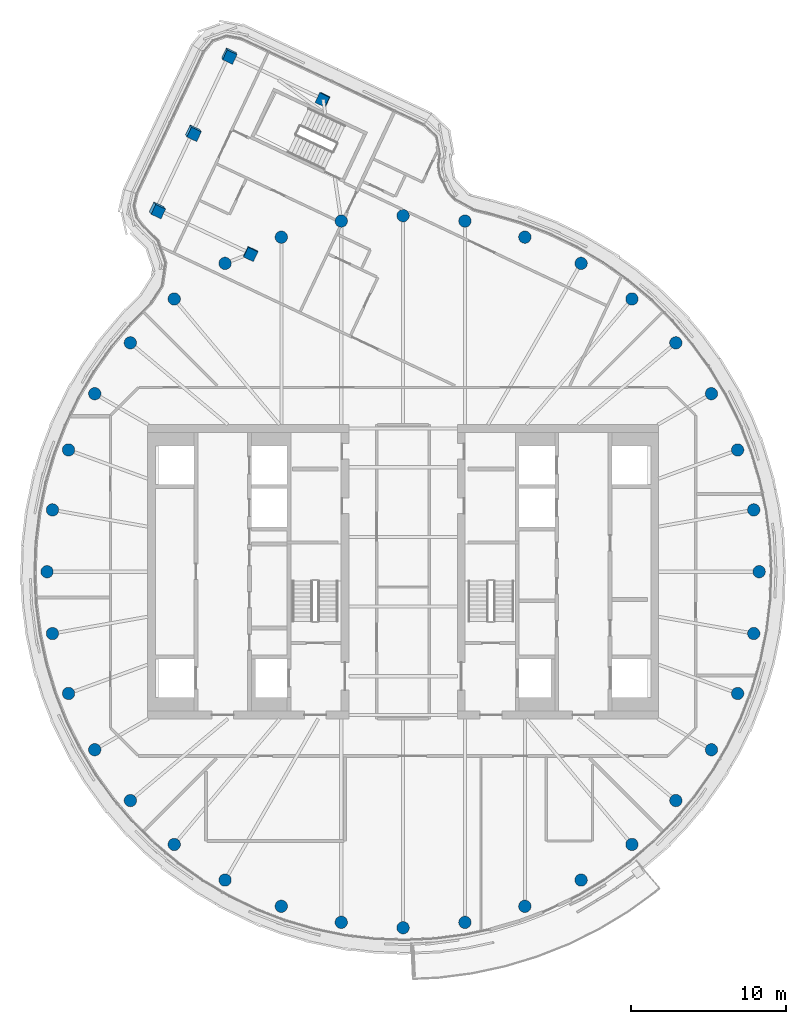
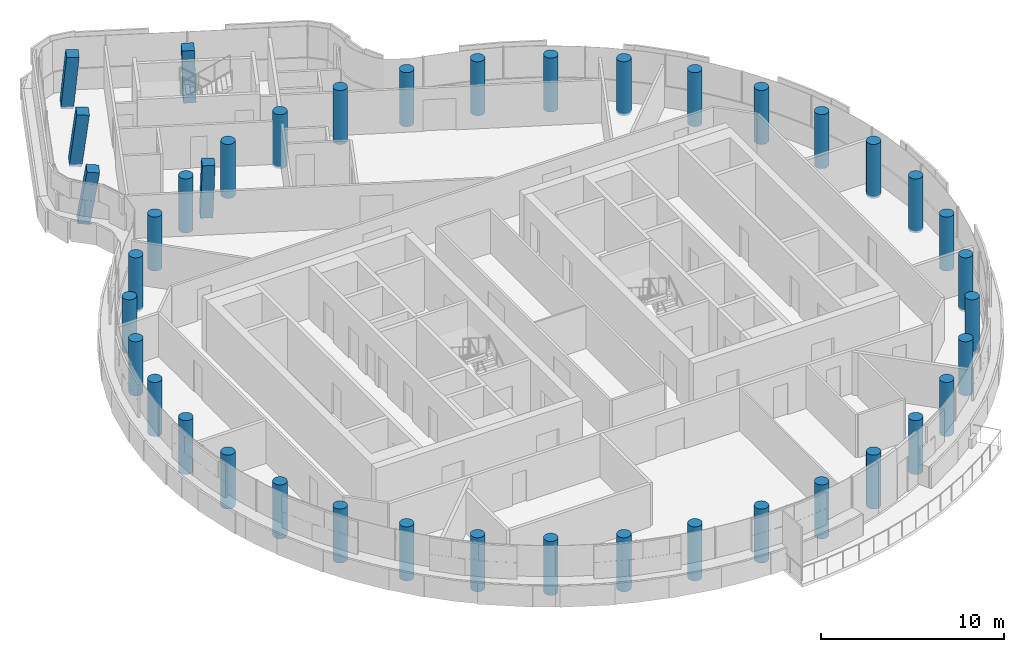
# One storey, part 1 of 21: 41 columns.
"""IFC4 building model written with IfcOpenShell, lengths in metres."""

from ifc_helpers import new_model, si_unit, direction, frame, origin, origin_2d, place, context, subcontext, project, spatial, rectangle, circle, extrude, material, material_profile, profile_set, type_object, element, save


model = new_model("IFC4")

# Units and contexts
model_context = context("Model", 3, precision=1e-05, world=origin(), true_north=direction((0.0, 1.0)))
body_context = subcontext(model_context, "Body", "Model", "MODEL_VIEW")
ifc_project = project(units=[si_unit("LENGTHUNIT", "METRE"), si_unit("AREAUNIT", "SQUARE_METRE"), si_unit("VOLUMEUNIT", "CUBIC_METRE"), si_unit("PLANEANGLEUNIT", "RADIAN"), si_unit("MASSUNIT", "GRAM", prefix="KILO")], contexts=[model_context])

# Site, building, storey
site_placement = place(None, origin())
site = spatial("IfcSite", under=ifc_project, at=site_placement, CompositionType="ELEMENT")
building_placement = place(site_placement, origin())
building = spatial("IfcBuilding", under=site, at=building_placement, Name="Tamarind Cross Interchange Tower", CompositionType="ELEMENT")
storey_placement = place(building_placement, frame((0.0, 0.0, 267.60009765625)))
storey = spatial("IfcBuildingStorey", under=building, at=storey_placement, Name="L68", CompositionType="ELEMENT", Elevation=267.60009765625)

# Columns
ifc_material = material(Name="Concrete C45", Category="concrete")
ifc_material_profile_1 = material_profile(ifc_material, rectangle(XDim=0.699951171875, YDim=0.699951171875, at=origin_2d()), Name="RC 700x700")
ifc_profile_set_1 = profile_set([ifc_material_profile_1], Name="Concrete C45")
column_type_1 = type_object("IfcColumnType", Name="Column RC 700x700 Concrete C45", PredefinedType="COLUMN", material=ifc_profile_set_1)
for number, where, z_axis, x_axis, name in (
    (1, (-9.852294921875, 20.561279296875, -0.138916015625), (0.007726320639, -0.049814435702, 0.99872860476), (0.426515930997, 0.903515234105, 0.041765803538), "Column L68-045"),
    (2, (-5.1650390625, 30.512451171875, -0.138916015625), (-0.042833727342, -0.026499980049, 0.998730705876), (0.90388158527, -0.426901868778, 0.027438553963), "Column L68-046"),
):
    element("IfcColumn", number, at=place(storey_placement, frame(where, z_axis=z_axis, x_axis=x_axis)), inside=storey, type_object=column_type_1, Name=name, PredefinedType="COLUMN", context=body_context, shape_type="SweptSolid", body=[
        extrude(rectangle(XDim=0.699951171875, YDim=0.699951171875, at=origin_2d()), origin(), (0.0, 0.0, 1.0), 3.602294921875),
    ])
column_1_placement = place(storey_placement, frame((-11.246826171875, 33.377197265625, -0.137939453125), z_axis=(0.041708047868, -0.101368103394, 0.993974318762), x_axis=(0.427513510004, 0.900979619467, 0.073945412769)))
element("IfcColumn", 3, at=column_1_placement, inside=storey, type_object=column_type_1, Name="Column L68-047", PredefinedType="COLUMN", context=body_context, shape_type="SweptSolid", body=[
    extrude(rectangle(XDim=0.699951171875, YDim=0.699951171875, at=origin_2d()), origin(), (0.0, 0.0, 1.0), 3.617431640625),
])
column_2_placement = place(storey_placement, frame((-13.59033203125, 28.4013671875, -0.137939453125), z_axis=(0.066645860243, -0.112557452856, 0.99140766041), x_axis=(0.428456436465, 0.90057276236, 0.073442370243)))
element("IfcColumn", 4, at=column_2_placement, inside=storey, type_object=column_type_1, Name="Column L68-048", PredefinedType="COLUMN", context=body_context, shape_type="SweptSolid", body=[
    extrude(rectangle(XDim=0.699951171875, YDim=0.699951171875, at=origin_2d()), origin(), (0.0, 0.0, 1.0), 3.626708984375),
])
column_3_placement = place(storey_placement, frame((-15.93408203125, 23.42578125, -0.1376953125), z_axis=(0.091455260238, -0.12372964041, 0.988092562192), x_axis=(0.42939068135, 0.900165614279, 0.072976089505)))
element("IfcColumn", 5, at=column_3_placement, inside=storey, type_object=column_type_1, Name="Column L68-049", PredefinedType="COLUMN", context=body_context, shape_type="SweptSolid", body=[
    extrude(rectangle(XDim=0.699951171875, YDim=0.699951171875, at=origin_2d()), origin(), (0.0, 0.0, 1.0), 3.638427734375),
])
ifc_material_profile_2 = material_profile(ifc_material, circle(Radius=0.39990234375, at=origin_2d()), Name="RC D800")
ifc_profile_set_2 = profile_set([ifc_material_profile_2], Name="Concrete C45")
column_type_2 = type_object("IfcColumnType", Name="Column RC D800 Concrete C45", PredefinedType="COLUMN", material=ifc_profile_set_2)
for number, where, z_axis, x_axis, name in (
    (6, (23.0, 0.0, -0.14013671875), (0.0, 0.0, 1.0), (1.0, 0.0, 0.0), "Column L68-000"),
    (7, (22.650634765625, 3.993896484375, -0.14013671875), (0.0, 0.0, 1.0), (1.0, 0.0, 0.0), "Column L68-001"),
    (8, (21.613037109375, 7.866455078125, -0.14013671875), (0.0, 0.0, 1.0), (1.0, 0.0, 0.0), "Column L68-002"),
    (9, (19.918701171875, 11.5, -0.14013671875), (0.0, 0.0, 1.0), (1.0, 0.0, 0.0), "Column L68-003"),
    (10, (17.619140625, 14.7841796875, -0.14013671875), (0.0, 0.0, 1.0), (1.0, 0.0, 0.0), "Column L68-004"),
    (11, (14.7841796875, 17.619140625, -0.14013671875), (0.0, 0.0, 1.0), (1.0, 0.0, 0.0), "Column L68-005"),
    (12, (11.5, 19.918701171875, -0.14013671875), (0.0, 0.0, 1.0), (1.0, 0.0, 0.0), "Column L68-006"),
    (13, (7.866455078125, 21.613037109375, -0.14013671875), (0.0, 0.0, 1.0), (1.0, 0.0, 0.0), "Column L68-007"),
    (14, (3.993896484375, 22.650634765625, -0.14013671875), (0.0, 0.0, 1.0), (1.0, 0.0, 0.0), "Column L68-008"),
    (15, (0.0, 23.0, -0.14013671875), (0.0, 0.0, 1.0), (1.0, 0.0, 0.0), "Column L68-009"),
    (16, (-3.993896484375, 22.650634765625, -0.14013671875), (0.0, 0.0, 1.0), (1.0, 0.0, 0.0), "Column L68-010"),
    (17, (-7.866455078125, 21.613037109375, -0.14013671875), (0.0, 0.0, 1.0), (1.0, 0.0, 0.0), "Column L68-011"),
    (18, (-11.5, 19.918701171875, -0.14013671875), (0.0, 0.0, 1.0), (1.0, 0.0, 0.0), "Column L68-012"),
    (19, (-14.7841796875, 17.619140625, -0.14013671875), (0.0, 0.0, 1.0), (1.0, 0.0, 0.0), "Column L68-013"),
    (20, (-17.619140625, 14.7841796875, -0.14013671875), (0.0, 0.0, 1.0), (1.0, 0.0, 0.0), "Column L68-014"),
    (21, (-19.918701171875, 11.5, -0.14013671875), (0.0, 0.0, 1.0), (1.0, 0.0, 0.0), "Column L68-015"),
    (22, (-21.613037109375, 7.866455078125, -0.14013671875), (0.0, 0.0, 1.0), (1.0, 0.0, 0.0), "Column L68-016"),
    (23, (-22.650634765625, 3.993896484375, -0.14013671875), (0.0, 0.0, 1.0), (1.0, 0.0, 0.0), "Column L68-017"),
    (24, (-23.0, 0.0, -0.14013671875), (0.0, 0.0, 1.0), (1.0, 0.0, 0.0), "Column L68-018"),
    (25, (-22.650634765625, -3.993896484375, -0.14013671875), (0.0, 0.0, 1.0), (1.0, 0.0, 0.0), "Column L68-019"),
    (26, (-21.613037109375, -7.866455078125, -0.14013671875), (0.0, 0.0, 1.0), (1.0, 0.0, 0.0), "Column L68-020"),
    (27, (-19.918701171875, -11.5, -0.14013671875), (0.0, 0.0, 1.0), (1.0, 0.0, 0.0), "Column L68-021"),
    (28, (-17.619140625, -14.7841796875, -0.14013671875), (0.0, 0.0, 1.0), (1.0, 0.0, 0.0), "Column L68-022"),
    (29, (-14.7841796875, -17.619140625, -0.14013671875), (0.0, 0.0, 1.0), (1.0, 0.0, 0.0), "Column L68-023"),
    (30, (-11.5, -19.918701171875, -0.14013671875), (0.0, 0.0, 1.0), (1.0, 0.0, 0.0), "Column L68-024"),
    (31, (-7.866455078125, -21.613037109375, -0.14013671875), (0.0, 0.0, 1.0), (1.0, 0.0, 0.0), "Column L68-025"),
    (32, (-3.993896484375, -22.650634765625, -0.14013671875), (0.0, 0.0, 1.0), (1.0, 0.0, 0.0), "Column L68-026"),
    (33, (0.0, -23.0, -0.14013671875), (0.0, 0.0, 1.0), (1.0, 0.0, 0.0), "Column L68-027"),
    (34, (3.993896484375, -22.650634765625, -0.14013671875), (0.0, 0.0, 1.0), (1.0, 0.0, 0.0), "Column L68-028"),
    (35, (7.866455078125, -21.613037109375, -0.14013671875), (0.0, 0.0, 1.0), (1.0, 0.0, 0.0), "Column L68-029"),
    (36, (11.5, -19.918701171875, -0.14013671875), (0.0, 0.0, 1.0), (1.0, 0.0, 0.0), "Column L68-030"),
    (37, (14.7841796875, -17.619140625, -0.14013671875), (0.0, 0.0, 1.0), (1.0, 0.0, 0.0), "Column L68-031"),
    (38, (17.619140625, -14.7841796875, -0.14013671875), (0.0, 0.0, 1.0), (1.0, 0.0, 0.0), "Column L68-032"),
    (39, (19.918701171875, -11.5, -0.14013671875), (0.0, 0.0, 1.0), (1.0, 0.0, 0.0), "Column L68-033"),
    (40, (21.613037109375, -7.866455078125, -0.14013671875), (0.0, 0.0, 1.0), (1.0, 0.0, 0.0), "Column L68-034"),
    (41, (22.650634765625, -3.993896484375, -0.14013671875), (0.0, 0.0, 1.0), (1.0, 0.0, 0.0), "Column L68-035"),
):
    element("IfcColumn", number, at=place(storey_placement, frame(where, z_axis=z_axis, x_axis=x_axis)), inside=storey, type_object=column_type_2, Name=name, PredefinedType="COLUMN", context=body_context, shape_type="SweptSolid", body=[
        extrude(circle(Radius=0.39990234375, at=origin_2d()), origin(), (0.0, 0.0, 1.0), 3.60009765625),
    ])

save(model, "model.ifc")
